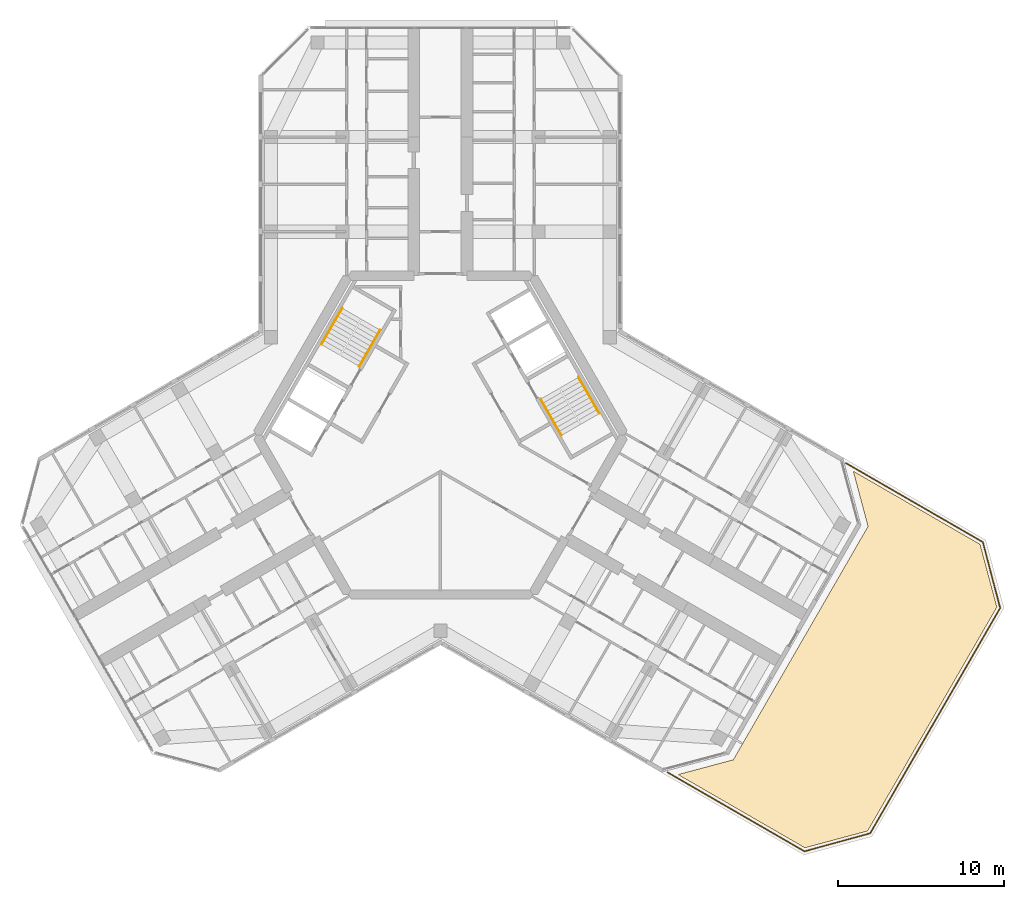
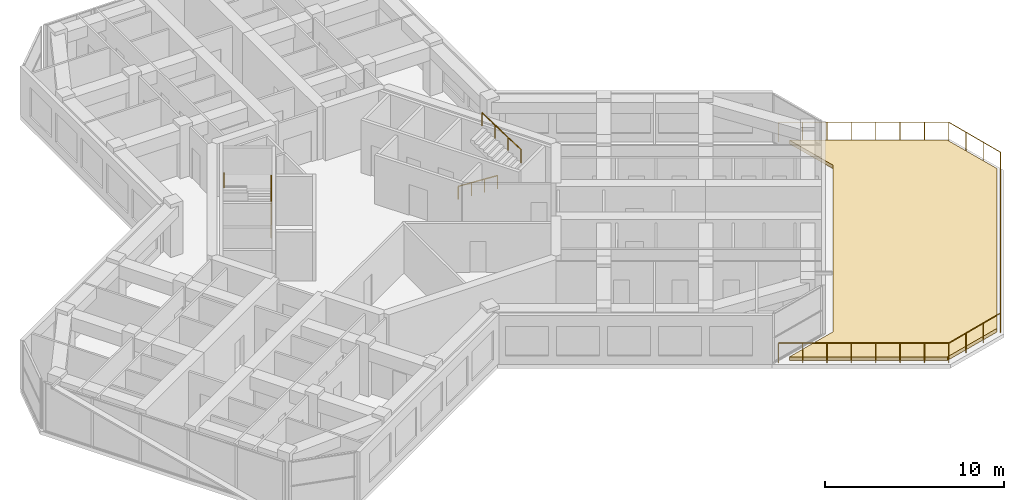
# One storey, part 14 of 14: 5 railings, 1 covering.
"""IFC4 building model written with IfcOpenShell, lengths in metres."""

from ifc_helpers import new_model, si_unit, direction, frame, origin, origin_2d, place, context, subcontext, project, spatial, polyline, circle, outline, extrude, material, layer, layer_set, type_object, element, save


model = new_model("IFC4")

# Units and contexts
model_context = context("Model", 3, precision=1e-05, world=origin(), true_north=direction((0.0, 1.0)))
body_context = subcontext(model_context, "Body", "Model", "MODEL_VIEW")
ifc_project = project(units=[si_unit("LENGTHUNIT", "METRE"), si_unit("AREAUNIT", "SQUARE_METRE"), si_unit("VOLUMEUNIT", "CUBIC_METRE"), si_unit("PLANEANGLEUNIT", "RADIAN"), si_unit("MASSUNIT", "GRAM", prefix="KILO")], contexts=[model_context])

# Site, building, storey
site_placement = place(None, origin())
site = spatial("IfcSite", under=ifc_project, at=site_placement, CompositionType="ELEMENT")
building_placement = place(site_placement, origin())
building = spatial("IfcBuilding", under=site, at=building_placement, Name="Kosmar Iwan School Tower", CompositionType="ELEMENT")
storey_placement = place(building_placement, frame((0.0, 0.0, 267.39990234375)))
storey = spatial("IfcBuildingStorey", under=building, at=storey_placement, Name="L67", CompositionType="ELEMENT", Elevation=267.39990234375)

# Covering
ifc_material_1 = material(Name="Insulated roofing membrane")
ifc_layer = layer(ifc_material_1, 0.25)
ifc_layer_set = layer_set([ifc_layer], Name="Roof membrane and insulation")
covering_type = type_object("IfcCoveringType", Name="Roof membrane and insulation", PredefinedType="ROOFING", material=ifc_layer_set)
covering_placement = place(storey_placement, origin())
element("IfcCovering", 1, at=covering_placement, inside=storey, type_object=covering_type, Name="Maintenance roof paving and insulation wing C", PredefinedType="ROOFING", context=body_context, shape_type="SweptSolid", body=[
    extrude(outline(polyline([(21.947998046875, -24.853759765625), (25.725830078125, -23.84130859375), (33.51025390625, -10.358642578125), (32.497802734375, -6.58056640625), (24.86083984375, -2.17138671875), (25.751708984375, -5.49658203125), (17.635986328125, -19.553466796875), (14.310791015625, -20.4443359375), (21.947998046875, -24.853759765625)])), origin(), (0.0, 0.0, 1.0), 0.25),
])

# Railings
ifc_material_2 = material(Name="Black steel", Category="steel")
railing_type_1 = type_object("IfcRailingType", Name="Stair handrail 900", PredefinedType="HANDRAIL", material=ifc_material_2)
railing_1_placement = place(storey_placement, frame((-4.89453125, 4.142333984375, 0.18017578125)))
element("IfcRailing", 2, at=railing_1_placement, inside=storey, type_object=railing_type_1, Name="Handrail ST2 flight 1", PredefinedType="HANDRAIL", context=body_context, shape_type="SweptSolid", body=[
    extrude(circle(Radius=0.02392578125, at=origin_2d()), frame((0.0, 0.0, 0.8759765625), z_axis=(0.42060268101, 0.72849590497, 0.54072830624), x_axis=(-0.866022637375, 0.500004791531, 0.0)), (0.0, 0.0, 1.0), 2.99560546875),
    extrude(circle(Radius=0.02099609375, at=origin_2d()), origin(), (0.0, 0.0, 1.0), 0.851806640625),
    extrude(circle(Radius=0.02099609375, at=origin_2d()), frame((0.419921875, 0.7275390625, 0.5400390625)), (0.0, 0.0, 1.0), 0.851806640625),
    extrude(circle(Radius=0.02099609375, at=origin_2d()), frame((0.840087890625, 1.454833984375, 1.079833984375)), (0.0, 0.0, 1.0), 0.851806640625),
    extrude(circle(Radius=0.02099609375, at=origin_2d()), frame((1.260009765625, 2.182373046875, 1.619873046875)), (0.0, 0.0, 1.0), 0.851806640625),
])
railing_2_placement = place(storey_placement, frame((-5.912353515625, 7.6396484375, 1.97998046875)))
element("IfcRailing", 3, at=railing_2_placement, inside=storey, type_object=railing_type_1, Name="Handrail ST2 flight 2", PredefinedType="HANDRAIL", context=body_context, shape_type="SweptSolid", body=[
    extrude(circle(Radius=0.02392578125, at=origin_2d()), frame((0.0, 0.0, 0.8759765625), z_axis=(-0.420584145978, -0.728463801763, 0.540785970299), x_axis=(0.866022637375, -0.500004791531, 0.0)), (0.0, 0.0, 1.0), 2.995849609375),
    extrude(circle(Radius=0.02099609375, at=origin_2d()), origin(), (0.0, 0.0, 1.0), 0.851806640625),
    extrude(circle(Radius=0.02099609375, at=origin_2d()), frame((-0.419921875, -0.7275390625, 0.5400390625)), (0.0, 0.0, 1.0), 0.851806640625),
    extrude(circle(Radius=0.02099609375, at=origin_2d()), frame((-0.840087890625, -1.454833984375, 1.080078125)), (0.0, 0.0, 1.0), 0.851806640625),
    extrude(circle(Radius=0.02099609375, at=origin_2d()), frame((-1.260009765625, -2.182373046875, 1.6201171875)), (0.0, 0.0, 1.0), 0.851806640625),
])
railing_3_placement = place(storey_placement, frame((6.03466796875, 2.167724609375, 0.18017578125)))
element("IfcRailing", 4, at=railing_3_placement, inside=storey, type_object=railing_type_1, Name="Handrail ST1 flight 1", PredefinedType="HANDRAIL", context=body_context, shape_type="SweptSolid", body=[
    extrude(circle(Radius=0.02392578125, at=origin_2d()), frame((0.0, 0.0, 0.8759765625), z_axis=(0.42060268101, -0.72849590497, 0.54072830624), x_axis=(0.866022637375, 0.500004791531, 0.0)), (0.0, 0.0, 1.0), 2.99560546875),
    extrude(circle(Radius=0.02099609375, at=origin_2d()), origin(), (0.0, 0.0, 1.0), 0.851806640625),
    extrude(circle(Radius=0.02099609375, at=origin_2d()), frame((0.419921875, -0.7275390625, 0.5400390625)), (0.0, 0.0, 1.0), 0.851806640625),
    extrude(circle(Radius=0.02099609375, at=origin_2d()), frame((0.840087890625, -1.454833984375, 1.079833984375)), (0.0, 0.0, 1.0), 0.851806640625),
    extrude(circle(Radius=0.02099609375, at=origin_2d()), frame((1.260009765625, -2.182373046875, 1.619873046875)), (0.0, 0.0, 1.0), 0.851806640625),
])
railing_4_placement = place(storey_placement, frame((9.572265625, 1.30029296875, 1.97998046875)))
element("IfcRailing", 5, at=railing_4_placement, inside=storey, type_object=railing_type_1, Name="Handrail ST1 flight 2", PredefinedType="HANDRAIL", context=body_context, shape_type="SweptSolid", body=[
    extrude(circle(Radius=0.02392578125, at=origin_2d()), frame((0.0, 0.0, 0.8759765625), z_axis=(-0.420584145978, 0.728463801763, 0.540785970299), x_axis=(-0.866022637375, -0.500004791531, 0.0)), (0.0, 0.0, 1.0), 2.995849609375),
    extrude(circle(Radius=0.02099609375, at=origin_2d()), origin(), (0.0, 0.0, 1.0), 0.851806640625),
    extrude(circle(Radius=0.02099609375, at=origin_2d()), frame((-0.419921875, 0.7275390625, 0.5400390625)), (0.0, 0.0, 1.0), 0.851806640625),
    extrude(circle(Radius=0.02099609375, at=origin_2d()), frame((-0.840087890625, 1.454833984375, 1.080078125)), (0.0, 0.0, 1.0), 0.851806640625),
    extrude(circle(Radius=0.02099609375, at=origin_2d()), frame((-1.260009765625, 2.182373046875, 1.6201171875)), (0.0, 0.0, 1.0), 0.851806640625),
])
ifc_material_3 = material(Name="Black steel and glass", Category="steel")
railing_type_2 = type_object("IfcRailingType", Name="Terrace guard 1350", PredefinedType="GUARDRAIL", material=ifc_material_3)
railing_5_placement = place(storey_placement, frame((24.427490234375, -1.690185546875, 0.0)))
element("IfcRailing", 6, at=railing_5_placement, inside=storey, type_object=railing_type_2, Name="Roof edge guard wing C", PredefinedType="GUARDRAIL", context=body_context, shape_type="SweptSolid", body=[
    extrude(circle(Radius=0.02392578125, at=origin_2d()), frame((0.0, 0.0, 1.326171875), z_axis=(0.86602923695, -0.499993360704, 0.0), x_axis=(0.499993360704, 0.86602923695, 0.0)), (0.0, 0.0, 1.0), 9.517333984375),
    extrude(circle(Radius=0.02392578125, at=origin_2d()), frame((8.2421875, -4.758544921875, 1.326171875), z_axis=(0.253110031977, -0.967437497574, 0.0), x_axis=(0.967437497574, 0.253110031977, 0.0)), (0.0, 0.0, 1.0), 4.101318359375),
    extrude(circle(Radius=0.02392578125, at=origin_2d()), frame((9.2802734375, -8.726318359375, 1.326171875), z_axis=(-0.500007545224, -0.866021047503, 0.0), x_axis=(0.866021047503, -0.500007545224, 0.0)), (0.0, 0.0, 1.0), 15.665771484375),
    extrude(circle(Radius=0.02392578125, at=origin_2d()), frame((1.447265625, -22.293212890625, 1.326171875), z_axis=(-0.964372615609, -0.264547648381, 0.0), x_axis=(0.264547648381, -0.964372615609, 0.0)), (0.0, 0.0, 1.0), 4.10107421875),
    extrude(circle(Radius=0.02392578125, at=origin_2d()), frame((-2.5078125, -23.378173828125, 1.326171875), z_axis=(-0.86602923695, 0.499993360704, 0.0), x_axis=(-0.499993360704, -0.86602923695, 0.0)), (0.0, 0.0, 1.0), 9.517333984375),
    extrude(circle(Radius=0.02099609375, at=origin_2d()), origin(), (0.0, 0.0, 1.0), 1.302001953125),
    extrude(circle(Radius=0.02099609375, at=origin_2d()), frame((1.177490234375, -0.6796875, 0.0)), (0.0, 0.0, 1.0), 1.302001953125),
    extrude(circle(Radius=0.02099609375, at=origin_2d()), frame((2.35498046875, -1.359619140625, 0.0)), (0.0, 0.0, 1.0), 1.302001953125),
    extrude(circle(Radius=0.02099609375, at=origin_2d()), frame((3.532470703125, -2.039306640625, 0.0)), (0.0, 0.0, 1.0), 1.302001953125),
    extrude(circle(Radius=0.02099609375, at=origin_2d()), frame((4.709716796875, -2.71923828125, 0.0)), (0.0, 0.0, 1.0), 1.302001953125),
    extrude(circle(Radius=0.02099609375, at=origin_2d()), frame((5.88720703125, -3.39892578125, 0.0)), (0.0, 0.0, 1.0), 1.302001953125),
    extrude(circle(Radius=0.02099609375, at=origin_2d()), frame((7.064697265625, -4.078857421875, 0.0)), (0.0, 0.0, 1.0), 1.302001953125),
    extrude(circle(Radius=0.02099609375, at=origin_2d()), frame((8.2421875, -4.758544921875, 0.0)), (0.0, 0.0, 1.0), 1.302001953125),
    extrude(circle(Radius=0.02099609375, at=origin_2d()), frame((8.588134765625, -6.0810546875, 0.0)), (0.0, 0.0, 1.0), 1.302001953125),
    extrude(circle(Radius=0.02099609375, at=origin_2d()), frame((8.934326171875, -7.40380859375, 0.0)), (0.0, 0.0, 1.0), 1.302001953125),
    extrude(circle(Radius=0.02099609375, at=origin_2d()), frame((9.2802734375, -8.726318359375, 0.0)), (0.0, 0.0, 1.0), 1.302001953125),
    extrude(circle(Radius=0.02099609375, at=origin_2d()), frame((8.568115234375, -9.959716796875, 0.0)), (0.0, 0.0, 1.0), 1.302001953125),
    extrude(circle(Radius=0.02099609375, at=origin_2d()), frame((7.856201171875, -11.193115234375, 0.0)), (0.0, 0.0, 1.0), 1.302001953125),
    extrude(circle(Radius=0.02099609375, at=origin_2d()), frame((7.14404296875, -12.42626953125, 0.0)), (0.0, 0.0, 1.0), 1.302001953125),
    extrude(circle(Radius=0.02099609375, at=origin_2d()), frame((6.431884765625, -13.65966796875, 0.0)), (0.0, 0.0, 1.0), 1.302001953125),
    extrude(circle(Radius=0.02099609375, at=origin_2d()), frame((5.7197265625, -14.89306640625, 0.0)), (0.0, 0.0, 1.0), 1.302001953125),
    extrude(circle(Radius=0.02099609375, at=origin_2d()), frame((5.0078125, -16.12646484375, 0.0)), (0.0, 0.0, 1.0), 1.302001953125),
    extrude(circle(Radius=0.02099609375, at=origin_2d()), frame((4.295654296875, -17.35986328125, 0.0)), (0.0, 0.0, 1.0), 1.302001953125),
    extrude(circle(Radius=0.02099609375, at=origin_2d()), frame((3.58349609375, -18.59326171875, 0.0)), (0.0, 0.0, 1.0), 1.302001953125),
    extrude(circle(Radius=0.02099609375, at=origin_2d()), frame((2.871337890625, -19.826416015625, 0.0)), (0.0, 0.0, 1.0), 1.302001953125),
    extrude(circle(Radius=0.02099609375, at=origin_2d()), frame((2.159423828125, -21.059814453125, 0.0)), (0.0, 0.0, 1.0), 1.302001953125),
    extrude(circle(Radius=0.02099609375, at=origin_2d()), frame((1.447265625, -22.293212890625, 0.0)), (0.0, 0.0, 1.0), 1.302001953125),
    extrude(circle(Radius=0.02099609375, at=origin_2d()), frame((0.12890625, -22.65478515625, 0.0)), (0.0, 0.0, 1.0), 1.302001953125),
    extrude(circle(Radius=0.02099609375, at=origin_2d()), frame((-1.189453125, -23.0166015625, 0.0)), (0.0, 0.0, 1.0), 1.302001953125),
    extrude(circle(Radius=0.02099609375, at=origin_2d()), frame((-2.5078125, -23.378173828125, 0.0)), (0.0, 0.0, 1.0), 1.302001953125),
    extrude(circle(Radius=0.02099609375, at=origin_2d()), frame((-3.685302734375, -22.698486328125, 0.0)), (0.0, 0.0, 1.0), 1.302001953125),
    extrude(circle(Radius=0.02099609375, at=origin_2d()), frame((-4.86279296875, -22.0185546875, 0.0)), (0.0, 0.0, 1.0), 1.302001953125),
    extrude(circle(Radius=0.02099609375, at=origin_2d()), frame((-6.040283203125, -21.3388671875, 0.0)), (0.0, 0.0, 1.0), 1.302001953125),
    extrude(circle(Radius=0.02099609375, at=origin_2d()), frame((-7.217529296875, -20.658935546875, 0.0)), (0.0, 0.0, 1.0), 1.302001953125),
    extrude(circle(Radius=0.02099609375, at=origin_2d()), frame((-8.39501953125, -19.979248046875, 0.0)), (0.0, 0.0, 1.0), 1.302001953125),
    extrude(circle(Radius=0.02099609375, at=origin_2d()), frame((-9.572509765625, -19.29931640625, 0.0)), (0.0, 0.0, 1.0), 1.302001953125),
    extrude(circle(Radius=0.02099609375, at=origin_2d()), frame((-10.75, -18.61962890625, 0.0)), (0.0, 0.0, 1.0), 1.302001953125),
])

save(model, "model.ifc")
